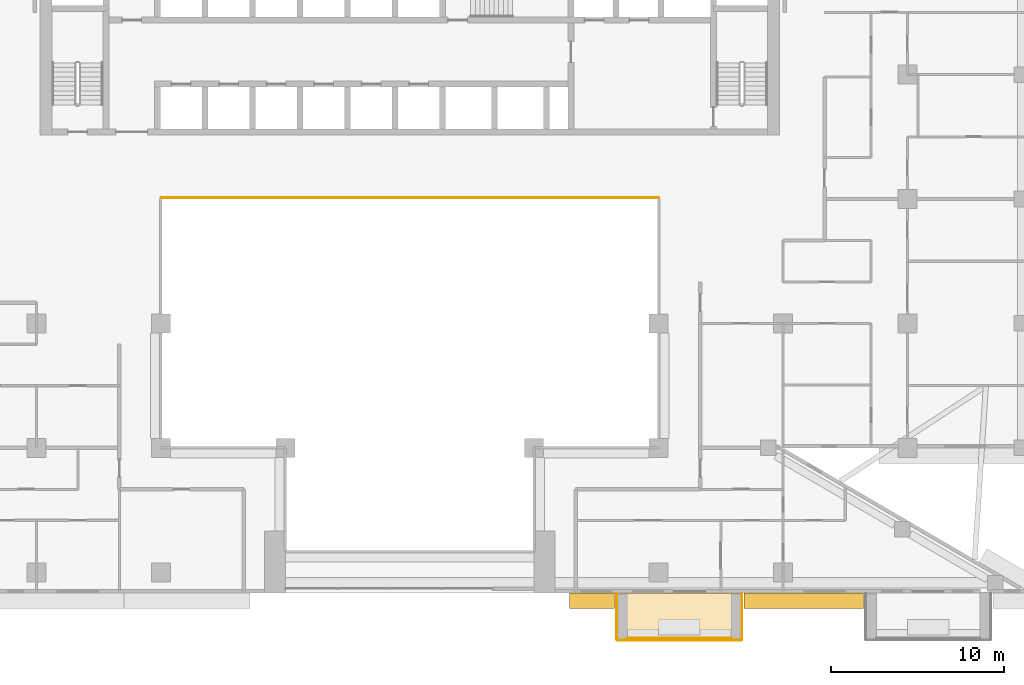
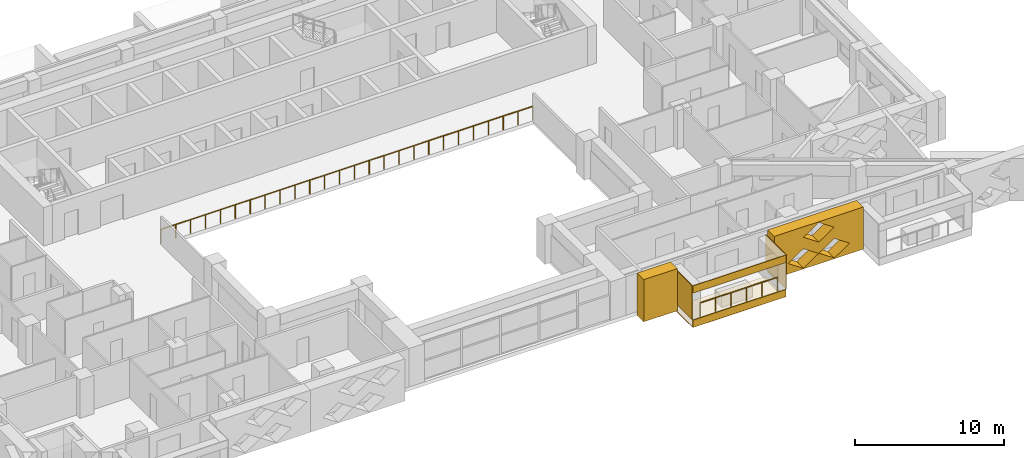
# One storey, part 15 of 19: 7 coverings, 2 railings.
"""IFC4 building model written with IfcOpenShell, lengths in metres."""

from ifc_helpers import new_model, si_unit, direction, frame, origin, origin_2d, place, context, subcontext, project, spatial, polyline, circle, outline, extrude, material, layer, layer_set, type_object, element, save


model = new_model("IFC4")

# Units and contexts
model_context = context("Model", 3, precision=1e-05, world=origin(), true_north=direction((0.0, 1.0)))
body_context = subcontext(model_context, "Body", "Model", "MODEL_VIEW")
ifc_project = project(units=[si_unit("LENGTHUNIT", "METRE"), si_unit("AREAUNIT", "SQUARE_METRE"), si_unit("VOLUMEUNIT", "CUBIC_METRE"), si_unit("PLANEANGLEUNIT", "RADIAN"), si_unit("MASSUNIT", "GRAM", prefix="KILO")], contexts=[model_context])

# Site, building, storey
site_placement = place(None, origin())
site = spatial("IfcSite", under=ifc_project, at=site_placement, CompositionType="ELEMENT")
building_placement = place(site_placement, origin())
building = spatial("IfcBuilding", under=site, at=building_placement, Name="Saffron Iwan Residences", CompositionType="ELEMENT")
storey_placement = place(building_placement, frame((0.0, 0.0, 134.0)))
storey = spatial("IfcBuildingStorey", under=building, at=storey_placement, Name="L35", CompositionType="ELEMENT", Elevation=134.0)

# Railings
ifc_material_1 = material(Name="Stainless steel 316", Category="steel")
railing_type_1 = type_object("IfcRailingType", Name="Atrium guard 1150", PredefinedType="GUARDRAIL", material=ifc_material_1)
railing_1_placement = place(storey_placement, frame((36.0, 62.47509765625, 0.0)))
element("IfcRailing", 1, at=railing_1_placement, inside=storey, type_object=railing_type_1, Name="Atrium guard L35", PredefinedType="GUARDRAIL", context=body_context, shape_type="SweptSolid", body=[
    extrude(circle(Radius=0.02392578125, at=origin_2d()), frame((0.0, 0.0, 1.1259765625), z_axis=(1.0, 0.0, 0.0), x_axis=(0.0, 1.0, 0.0)), (0.0, 0.0, 1.0), 28.800048828125),
    extrude(circle(Radius=0.02099609375, at=origin_2d()), origin(), (0.0, 0.0, 1.0), 1.101806640625),
    extrude(circle(Radius=0.02099609375, at=origin_2d()), frame((1.152099609375, 0.0, 0.0)), (0.0, 0.0, 1.0), 1.101806640625),
    extrude(circle(Radius=0.02099609375, at=origin_2d()), frame((2.303955078125, 0.0, 0.0)), (0.0, 0.0, 1.0), 1.101806640625),
    extrude(circle(Radius=0.02099609375, at=origin_2d()), frame((3.4560546875, 0.0, 0.0)), (0.0, 0.0, 1.0), 1.101806640625),
    extrude(circle(Radius=0.02099609375, at=origin_2d()), frame((4.60791015625, 0.0, 0.0)), (0.0, 0.0, 1.0), 1.101806640625),
    extrude(circle(Radius=0.02099609375, at=origin_2d()), frame((5.760009765625, 0.0, 0.0)), (0.0, 0.0, 1.0), 1.101806640625),
    extrude(circle(Radius=0.02099609375, at=origin_2d()), frame((6.912109375, 0.0, 0.0)), (0.0, 0.0, 1.0), 1.101806640625),
    extrude(circle(Radius=0.02099609375, at=origin_2d()), frame((8.06396484375, 0.0, 0.0)), (0.0, 0.0, 1.0), 1.101806640625),
    extrude(circle(Radius=0.02099609375, at=origin_2d()), frame((9.216064453125, 0.0, 0.0)), (0.0, 0.0, 1.0), 1.101806640625),
    extrude(circle(Radius=0.02099609375, at=origin_2d()), frame((10.367919921875, 0.0, 0.0)), (0.0, 0.0, 1.0), 1.101806640625),
    extrude(circle(Radius=0.02099609375, at=origin_2d()), frame((11.52001953125, 0.0, 0.0)), (0.0, 0.0, 1.0), 1.101806640625),
    extrude(circle(Radius=0.02099609375, at=origin_2d()), frame((12.672119140625, 0.0, 0.0)), (0.0, 0.0, 1.0), 1.101806640625),
    extrude(circle(Radius=0.02099609375, at=origin_2d()), frame((13.823974609375, 0.0, 0.0)), (0.0, 0.0, 1.0), 1.101806640625),
    extrude(circle(Radius=0.02099609375, at=origin_2d()), frame((14.97607421875, 0.0, 0.0)), (0.0, 0.0, 1.0), 1.101806640625),
    extrude(circle(Radius=0.02099609375, at=origin_2d()), frame((16.1279296875, 0.0, 0.0)), (0.0, 0.0, 1.0), 1.101806640625),
    extrude(circle(Radius=0.02099609375, at=origin_2d()), frame((17.280029296875, 0.0, 0.0)), (0.0, 0.0, 1.0), 1.101806640625),
    extrude(circle(Radius=0.02099609375, at=origin_2d()), frame((18.43212890625, 0.0, 0.0)), (0.0, 0.0, 1.0), 1.101806640625),
    extrude(circle(Radius=0.02099609375, at=origin_2d()), frame((19.583984375, 0.0, 0.0)), (0.0, 0.0, 1.0), 1.101806640625),
    extrude(circle(Radius=0.02099609375, at=origin_2d()), frame((20.736083984375, 0.0, 0.0)), (0.0, 0.0, 1.0), 1.101806640625),
    extrude(circle(Radius=0.02099609375, at=origin_2d()), frame((21.887939453125, 0.0, 0.0)), (0.0, 0.0, 1.0), 1.101806640625),
    extrude(circle(Radius=0.02099609375, at=origin_2d()), frame((23.0400390625, 0.0, 0.0)), (0.0, 0.0, 1.0), 1.101806640625),
    extrude(circle(Radius=0.02099609375, at=origin_2d()), frame((24.192138671875, 0.0, 0.0)), (0.0, 0.0, 1.0), 1.101806640625),
    extrude(circle(Radius=0.02099609375, at=origin_2d()), frame((25.343994140625, 0.0, 0.0)), (0.0, 0.0, 1.0), 1.101806640625),
    extrude(circle(Radius=0.02099609375, at=origin_2d()), frame((26.49609375, 0.0, 0.0)), (0.0, 0.0, 1.0), 1.101806640625),
    extrude(circle(Radius=0.02099609375, at=origin_2d()), frame((27.64794921875, 0.0, 0.0)), (0.0, 0.0, 1.0), 1.101806640625),
    extrude(circle(Radius=0.02099609375, at=origin_2d()), frame((28.800048828125, 0.0, 0.0)), (0.0, 0.0, 1.0), 1.101806640625),
])
railing_type_2 = type_object("IfcRailingType", Name="BALCONY GUARD 1150", PredefinedType="GUARDRAIL", material=ifc_material_1)
railing_2_placement = place(storey_placement, frame((63.0, 36.97509765625, 0.0)))
element("IfcRailing", 2, at=railing_2_placement, inside=storey, type_object=railing_type_2, Name="Balcony guard L35 11-2", PredefinedType="GUARDRAIL", context=body_context, shape_type="SweptSolid", body=[
    extrude(circle(Radius=0.02392578125, at=origin_2d()), frame((0.0, 0.0, 1.1259765625), z_axis=(1.0, 0.0, 0.0), x_axis=(0.0, 1.0, 0.0)), (0.0, 0.0, 1.0), 6.0),
    extrude(circle(Radius=0.02099609375, at=origin_2d()), origin(), (0.0, 0.0, 1.0), 1.101806640625),
    extrude(circle(Radius=0.02099609375, at=origin_2d()), frame((1.199951171875, 0.0, 0.0)), (0.0, 0.0, 1.0), 1.101806640625),
    extrude(circle(Radius=0.02099609375, at=origin_2d()), frame((2.39990234375, 0.0, 0.0)), (0.0, 0.0, 1.0), 1.101806640625),
    extrude(circle(Radius=0.02099609375, at=origin_2d()), frame((3.60009765625, 0.0, 0.0)), (0.0, 0.0, 1.0), 1.101806640625),
    extrude(circle(Radius=0.02099609375, at=origin_2d()), frame((4.800048828125, 0.0, 0.0)), (0.0, 0.0, 1.0), 1.101806640625),
    extrude(circle(Radius=0.02099609375, at=origin_2d()), frame((6.0, 0.0, 0.0)), (0.0, 0.0, 1.0), 1.101806640625),
])

# Coverings
ifc_material_2 = material(Name="Precast concrete C40/50 white painted", Category="concrete")
ifc_layer = layer(ifc_material_2, 0.050048828125)
ifc_layer_set = layer_set([ifc_layer], Name="Precast concrete C40/50 white painted")
covering_type_1 = type_object("IfcCoveringType", Name="FRAME SKIN PRECAST WHITE 50", PredefinedType="CLADDING", material=ifc_layer_set)
for number, where, name in (
    (3, (0.0, 0.0, -0.60009765625), "Frame skin slab edge L35 11-2"),
    (4, (0.0, 0.0, 2.199951171875), "Frame skin fascia L35 11-2"),
):
    element("IfcCovering", number, at=place(storey_placement, frame(where)), inside=storey, type_object=covering_type_1, Name=name, PredefinedType="CLADDING", context=body_context, shape_type="SweptSolid", body=[
        extrude(outline(polyline([(62.39990234375, 36.85009765625), (69.60009765625, 36.85009765625), (69.60009765625, 36.89990234375), (62.39990234375, 36.89990234375), (62.39990234375, 36.85009765625)])), origin(), (0.0, 0.0, 1.0), 0.60009765625),
    ])
covering_1_placement = place(storey_placement, frame((0.0, 0.0, -0.64990234375)))
element("IfcCovering", 5, at=covering_1_placement, inside=storey, type_object=covering_type_1, Name="Frame skin soffit L35 11-2", PredefinedType="CLADDING", context=body_context, shape_type="SweptSolid", body=[
    extrude(outline(polyline([(62.39990234375, 36.89990234375), (69.60009765625, 36.89990234375), (69.60009765625, 39.60009765625), (62.39990234375, 39.60009765625), (62.39990234375, 36.89990234375)])), origin(), (0.0, 0.0, 1.0), 0.0498046875),
])
covering_2_placement = place(storey_placement, origin())
element("IfcCovering", 6, at=covering_2_placement, inside=storey, type_object=covering_type_1, Name="Frame skin fin L35 11-2a", PredefinedType="CLADDING", context=body_context, shape_type="SweptSolid", body=[
    extrude(outline(polyline([(62.35009765625, 36.89990234375), (62.39990234375, 36.89990234375), (62.39990234375, 39.60009765625), (62.35009765625, 39.60009765625), (62.35009765625, 36.89990234375)])), origin(), (0.0, 0.0, 1.0), 2.800048828125),
])
covering_3_placement = place(storey_placement, origin())
element("IfcCovering", 7, at=covering_3_placement, inside=storey, type_object=covering_type_1, Name="Frame skin fin L35 11-2b", PredefinedType="CLADDING", context=body_context, shape_type="SweptSolid", body=[
    extrude(outline(polyline([(69.60009765625, 36.89990234375), (69.64990234375, 36.89990234375), (69.64990234375, 39.60009765625), (69.60009765625, 39.60009765625), (69.60009765625, 36.89990234375)])), origin(), (0.0, 0.0, 1.0), 2.800048828125),
])
ifc_material_3 = material(Name="Precast concrete C40/50", Category="concrete")
covering_type_2 = type_object("IfcCoveringType", Name="OUTER SKIN LATTICE SCREEN", PredefinedType="CLADDING", material=ifc_material_3)
covering_4_placement = place(storey_placement, frame((59.64990234375, 39.60009765625, -0.300048828125), z_axis=(0.0, -1.0, 0.0), x_axis=(1.0, 0.0, 0.0)))
element("IfcCovering", 8, at=covering_4_placement, inside=storey, type_object=covering_type_2, Name="OUTER SKIN lattice screen L35 F11.3", PredefinedType="CLADDING", context=body_context, shape_type="SweptSolid", body=[
    extrude(outline(polyline([(0.0, 0.0), (2.60009765625, 0.0), (2.60009765625, 3.449951171875), (0.0, 3.449951171875), (0.0, 0.0)])), origin(), (0.0, 0.0, 1.0), 0.900146484375),
])
covering_5_placement = place(storey_placement, frame((69.75, 39.60009765625, -0.300048828125), z_axis=(0.0, -1.0, 0.0), x_axis=(1.0, 0.0, 0.0)))
element("IfcCovering", 9, at=covering_5_placement, inside=storey, type_object=covering_type_2, Name="OUTER SKIN lattice screen L35 F11.4", PredefinedType="CLADDING", context=body_context, shape_type="SweptSolid", body=[
    extrude(outline(polyline([(0.0, 0.0), (6.89990234375, 0.0), (6.89990234375, 3.449951171875), (0.0, 3.449951171875), (0.0, 0.0)]), holes=[polyline([(1.070068359375, 0.862548828125), (2.25, 0.06005859375), (3.429931640625, 0.862548828125), (2.25, 1.6650390625), (1.070068359375, 0.862548828125)]), polyline([(3.469970703125, 0.862548828125), (4.64990234375, 0.06005859375), (5.830078125, 0.862548828125), (4.64990234375, 1.6650390625), (3.469970703125, 0.862548828125)]), polyline([(2.27001953125, 2.58740234375), (3.449951171875, 1.784912109375), (4.6298828125, 2.58740234375), (3.449951171875, 3.389892578125), (2.27001953125, 2.58740234375)])]), origin(), (0.0, 0.0, 1.0), 0.900146484375),
])

save(model, "model.ifc")
